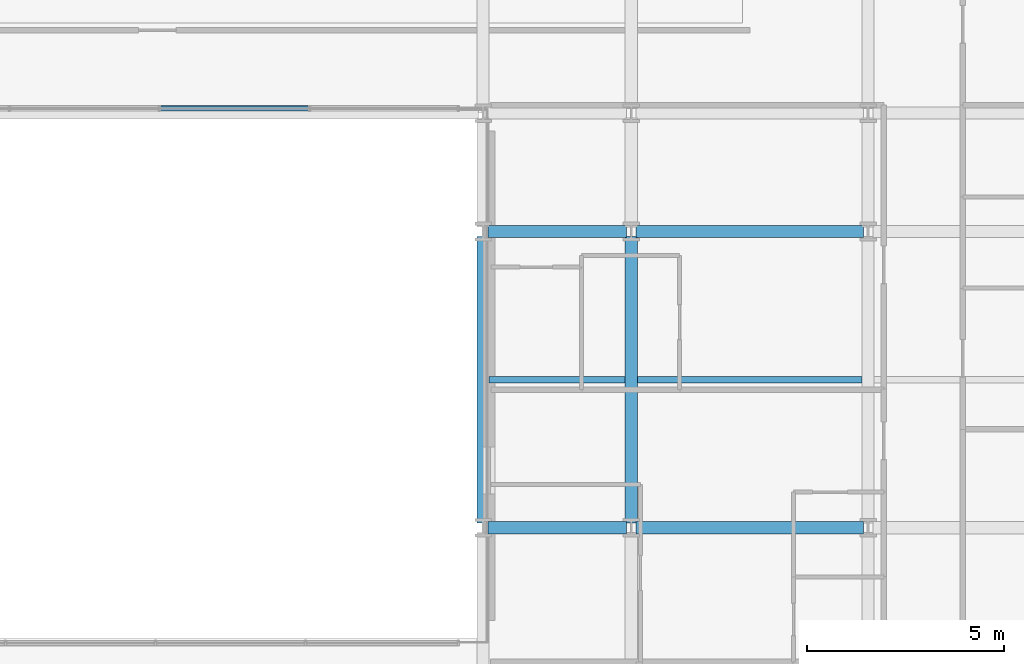
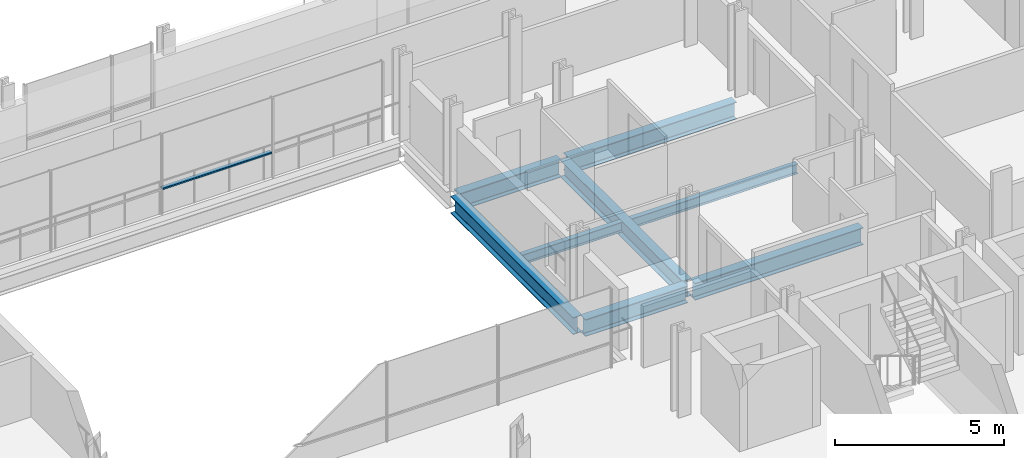
# One storey, part 16 of 38: 8 beams, 1 member, 1 element without a shape of its own.
"""IFC4 building model written with IfcOpenShell, lengths in metres."""

from ifc_helpers import new_model, si_unit, direction, frame, origin, origin_2d, place, context, subcontext, project, spatial, hollow_rectangle, i_section, extrude, material, layer, layer_set, material_profile, profile_set, type_object, element, aggregate, save


model = new_model("IFC4")

# Units and contexts
model_context = context("Model", 3, precision=1e-05, world=origin(), true_north=direction((0.0, 1.0)))
body_context = subcontext(model_context, "Body", "Model", "MODEL_VIEW")
ifc_project = project(units=[si_unit("LENGTHUNIT", "METRE"), si_unit("AREAUNIT", "SQUARE_METRE"), si_unit("VOLUMEUNIT", "CUBIC_METRE"), si_unit("PLANEANGLEUNIT", "RADIAN"), si_unit("MASSUNIT", "GRAM", prefix="KILO")], contexts=[model_context])

# Site, building, storey
site_placement = place(None, origin())
site = spatial("IfcSite", under=ifc_project, at=site_placement, CompositionType="ELEMENT")
building_placement = place(site_placement, origin())
building = spatial("IfcBuilding", under=site, at=building_placement, Name="Brevholm Reach", CompositionType="ELEMENT")
storey_placement = place(building_placement, frame((0.0, 0.0, 52.800048828125)))
storey = spatial("IfcBuildingStorey", under=building, at=storey_placement, Name="L14", CompositionType="ELEMENT", Elevation=52.800048828125)

# Beams
ifc_material_1 = material(Name="Structural Steel S355J2", Category="steel")
ifc_material_profile_1 = material_profile(ifc_material_1, i_section(OverallWidth=0.17138671875, OverallDepth=0.35498046875, WebThickness=0.00732421875, FlangeThickness=0.011474609375, FilletRadius=0.01025390625, at=origin_2d()), Name="UKB 356x171x51")
ifc_profile_set_1 = profile_set([ifc_material_profile_1], Name="Structural Steel S355J2")
beam_type_1 = type_object("IfcBeamType", Name="BM-B356", PredefinedType="BEAM", material=ifc_profile_set_1)
beam_1_placement = place(storey_placement, frame((38.403564453125, 19.75, -0.407470703125), z_axis=(1.0, 0.0, 0.0), x_axis=(0.0, 1.0, 0.0)))
element("IfcBeam", 1, at=beam_1_placement, inside=storey, type_object=beam_type_1, Name="L14 Composite Secondary Floor Beam", PredefinedType="BEAM", context=body_context, shape_type="SweptSolid", body=[
    extrude(i_section(OverallWidth=0.17138671875, OverallDepth=0.35498046875, WebThickness=0.00732421875, FlangeThickness=0.011474609375, FilletRadius=0.01025390625, at=origin_2d()), origin(), (0.0, 0.0, 1.0), 3.44287109375),
])
beam_2_placement = place(storey_placement, frame((42.153564453125, 19.75, -0.407470703125), z_axis=(1.0, 0.0, 0.0), x_axis=(0.0, 1.0, 0.0)))
element("IfcBeam", 2, at=beam_2_placement, inside=storey, type_object=beam_type_1, Name="L14 Composite Secondary Floor Beam", PredefinedType="BEAM", context=body_context, shape_type="SweptSolid", body=[
    extrude(i_section(OverallWidth=0.17138671875, OverallDepth=0.35498046875, WebThickness=0.00732421875, FlangeThickness=0.011474609375, FilletRadius=0.01025390625, at=origin_2d()), origin(), (0.0, 0.0, 1.0), 5.69287109375),
])
ifc_material_2 = material(Name="Structural Steel S355J2", Category="steel")
ifc_material_profile_2 = material_profile(ifc_material_2, i_section(OverallWidth=0.30712890625, OverallDepth=0.6201171875, WebThickness=0.01416015625, FlangeThickness=0.023681640625, FilletRadius=0.0166015625, at=origin_2d()), Name="UKB 610x305x179")
ifc_profile_set_2 = profile_set([ifc_material_profile_2], Name="Structural Steel S355J2")
beam_type_2 = type_object("IfcBeamType", Name="BM-UKB610H", PredefinedType="USERDEFINED", material=ifc_profile_set_2)
beam_3_placement = place(storey_placement, frame((38.3701171875, 16.0, -0.5400390625), z_axis=(1.0, 0.0, 0.0), x_axis=(0.0, 1.0, 0.0)))
element("IfcBeam", 3, at=beam_3_placement, inside=storey, type_object=beam_type_2, Name="L14 G-06 Framing Beam", ObjectType="GIRDER", PredefinedType="USERDEFINED", context=body_context, shape_type="SweptSolid", body=[
    extrude(i_section(OverallWidth=0.30712890625, OverallDepth=0.6201171875, WebThickness=0.01416015625, FlangeThickness=0.023681640625, FilletRadius=0.0166015625, at=origin_2d()), origin(), (0.0, 0.0, 1.0), 3.509765625),
])
beam_4_placement = place(storey_placement, frame((42.1201171875, 16.0, -0.5400390625), z_axis=(1.0, 0.0, 0.0), x_axis=(0.0, 1.0, 0.0)))
element("IfcBeam", 4, at=beam_4_placement, inside=storey, type_object=beam_type_2, Name="L14 G-06 Framing Beam", ObjectType="GIRDER", PredefinedType="USERDEFINED", context=body_context, shape_type="SweptSolid", body=[
    extrude(i_section(OverallWidth=0.30712890625, OverallDepth=0.6201171875, WebThickness=0.01416015625, FlangeThickness=0.023681640625, FilletRadius=0.0166015625, at=origin_2d()), origin(), (0.0, 0.0, 1.0), 5.759765625),
])
beam_5_placement = place(storey_placement, frame((38.3701171875, 23.5, -0.5400390625), z_axis=(1.0, 0.0, 0.0), x_axis=(0.0, 1.0, 0.0)))
element("IfcBeam", 5, at=beam_5_placement, inside=storey, type_object=beam_type_2, Name="L14 G-06 Framing Beam", ObjectType="GIRDER", PredefinedType="USERDEFINED", context=body_context, shape_type="SweptSolid", body=[
    extrude(i_section(OverallWidth=0.30712890625, OverallDepth=0.6201171875, WebThickness=0.01416015625, FlangeThickness=0.023681640625, FilletRadius=0.0166015625, at=origin_2d()), origin(), (0.0, 0.0, 1.0), 3.509765625),
])
beam_6_placement = place(storey_placement, frame((42.1201171875, 23.5, -0.5400390625), z_axis=(1.0, 0.0, 0.0), x_axis=(0.0, 1.0, 0.0)))
element("IfcBeam", 6, at=beam_6_placement, inside=storey, type_object=beam_type_2, Name="L14 G-06 Framing Beam", ObjectType="GIRDER", PredefinedType="USERDEFINED", context=body_context, shape_type="SweptSolid", body=[
    extrude(i_section(OverallWidth=0.30712890625, OverallDepth=0.6201171875, WebThickness=0.01416015625, FlangeThickness=0.023681640625, FilletRadius=0.0166015625, at=origin_2d()), origin(), (0.0, 0.0, 1.0), 5.759765625),
])
for number, where, z_axis, x_axis, name in (
    (7, (38.25, 16.1201171875, -0.5400390625), (0.0, 1.0, 0.0), (-1.0, 0.0, 0.0), "L14 G-06 Framing Beam"),
    (8, (42.0, 16.1201171875, -0.5400390625), (0.0, 1.0, 0.0), (-1.0, 0.0, 0.0), "L14 G-06 Framing Beam"),
):
    element("IfcBeam", number, at=place(storey_placement, frame(where, z_axis=z_axis, x_axis=x_axis)), inside=storey, type_object=beam_type_2, Name=name, ObjectType="GIRDER", PredefinedType="USERDEFINED", context=body_context, shape_type="SweptSolid", body=[
        extrude(i_section(OverallWidth=0.30712890625, OverallDepth=0.6201171875, WebThickness=0.01416015625, FlangeThickness=0.023681640625, FilletRadius=0.0166015625, at=origin_2d()), origin(), (0.0, 0.0, 1.0), 7.259765625),
    ])

# Curtain wall, member
ifc_material_3 = material(Name="Dark Anodised Aluminium 6063-T6 and Solar-Control Glass", Category="aluminium")
ifc_layer = layer(ifc_material_3, 0.139892578125)
ifc_layer_set = layer_set([ifc_layer], Name="Dark Anodised Aluminium 6063-T6 and Solar-Control Glass")
curtain_wall_type = type_object("IfcCurtainWallType", Name="CW-02", PredefinedType="NOTDEFINED", material=ifc_layer_set)
curtain_wall_placement = place(storey_placement, origin())
curtain_wall = element("IfcCurtainWall", 9, at=curtain_wall_placement, inside=storey, type_object=curtain_wall_type, Name="L14 Curtain Wall CW-02", PredefinedType="NOTDEFINED")
ifc_material_4 = material(Name="Dark Anodised Aluminium 6063-T6", Category="aluminium")
ifc_material_profile_3 = material_profile(ifc_material_4, hollow_rectangle(XDim=0.06005859375, YDim=0.139892578125, WallThickness=0.0048828125, InnerFilletRadius=0.0048828125, OuterFilletRadius=0.010009765625, at=origin_2d()), Name="RHS 140x60x5")
ifc_profile_set_3 = profile_set([ifc_material_profile_3], Name="Dark Anodised Aluminium 6063-T6")
member_type = type_object("IfcMemberType", Name="CWT-140", PredefinedType="NOTDEFINED", material=ifc_profile_set_3)
member_placement = place(storey_placement, frame((33.820068359375, 26.6201171875, 0.89990234375), z_axis=(-1.0, 0.0, 0.0), x_axis=(0.0, 0.0, 1.0)))
member = element("IfcMember", 10, at=member_placement, type_object=member_type, Name="CT-140 Transom 2.1", ObjectType="TRANSOM", PredefinedType="USERDEFINED", context=body_context, shape_type="SweptSolid", body=[
    extrude(hollow_rectangle(XDim=0.06005859375, YDim=0.139892578125, WallThickness=0.0048828125, InnerFilletRadius=0.0048828125, OuterFilletRadius=0.010009765625, at=origin_2d()), origin(), (0.0, 0.0, 1.0), 3.739990234375),
])
aggregate(curtain_wall, [member])

save(model, "model.ifc")
